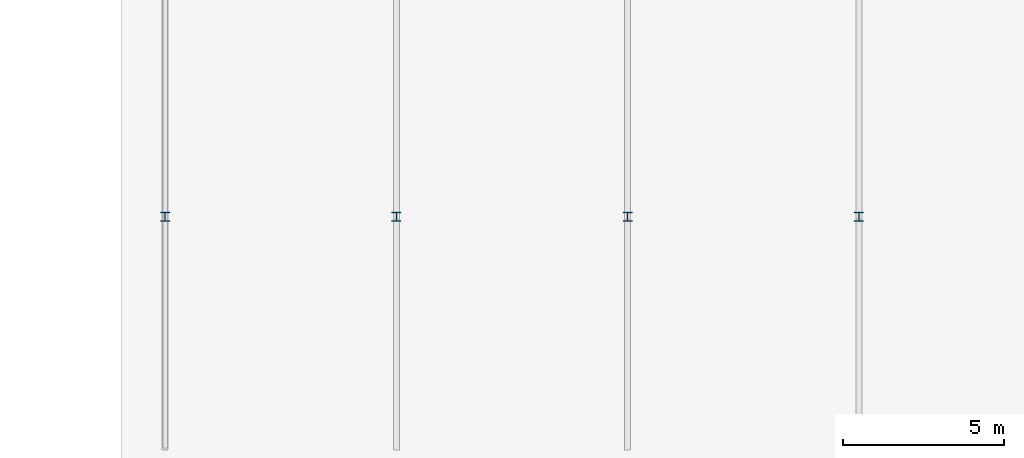
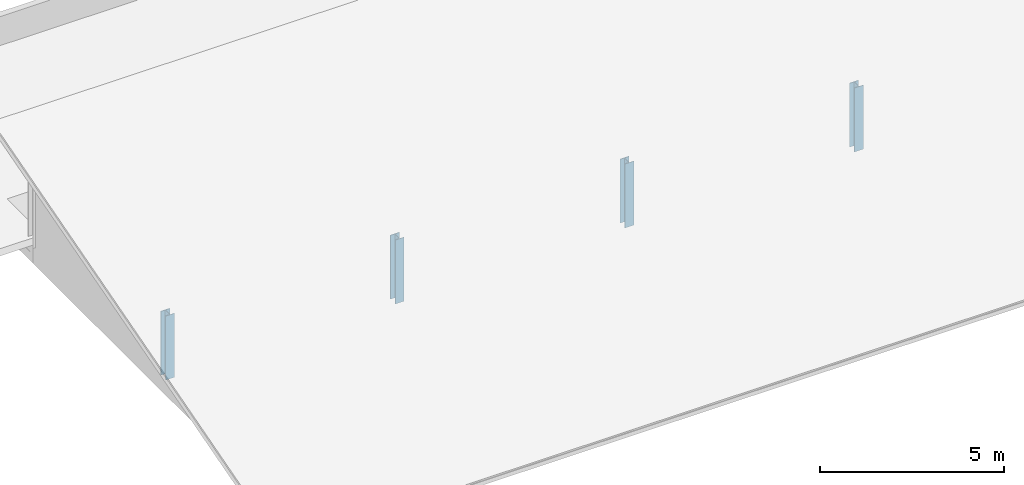
# One storey, part 12 of 157: 4 columns.
"""IFC4 building model written with IfcOpenShell, lengths in metres."""

import ifcopenshell
import ifcopenshell.guid

model = None  # the IFC model being written
_history = None  # IfcOwnerHistory: only IFC2X3 demands one
_inside = {}  # id of a spatial element -> (the spatial element, [elements in it])
_under = {}  # id of a project, library or spatial element -> (it, [spatial elements below it])
_declared = {}  # id of a project -> (the project, [libraries it declares])
_typed = {}  # id of a type object -> (the type object, [elements of that type])
_made_of = {}  # id of a material, layer set ... -> (it, [elements and type objects made of it])


def new_model(schema):
    """Start an empty IFC model of exactly this schema.

    Asked for "IFC4X3", IfcOpenShell would pick the latest addendum, in which some entities
    have other attributes; the version numbers below select the first issue.
    IFC2X3 requires an IfcOwnerHistory on every rooted entity: one is made here for all.
    """
    global model, _history
    if schema == "IFC4X3":
        model = ifcopenshell.file(schema_version=(4, 3, 0, 0))
    else:
        model = ifcopenshell.file(schema=schema)
    _inside.clear()
    _under.clear()
    _declared.clear()
    _typed.clear()
    _made_of.clear()
    _history = None
    if model.schema == "IFC2X3":
        org = make("IfcOrganization", Name="unknown")
        user = make(
            "IfcPersonAndOrganization",
            ThePerson=make("IfcPerson", FamilyName="unknown"),
            TheOrganization=org,
        )
        app = make(
            "IfcApplication",
            ApplicationDeveloper=org,
            Version="unknown",
            ApplicationFullName="unknown",
            ApplicationIdentifier="unknown",
        )
        _history = make(
            "IfcOwnerHistory",
            OwningUser=user,
            OwningApplication=app,
            ChangeAction="ADDED",
            CreationDate=0,
        )
    return model


def make(cls, **values):
    """One entity of the class cls with the attributes given. An attribute that is None is left unset."""
    return model.create_entity(
        cls, **{name: value for name, value in values.items() if value is not None}
    )


def rooted(cls, **values):
    """An entity with a GlobalId (a new one), such as an element, a storey or a relation."""
    return make(cls, GlobalId=ifcopenshell.guid.new(), OwnerHistory=_history, **values)


def si_unit(unit_type, name, prefix=None):
    """IfcSIUnit, for example si_unit("LENGTHUNIT", "METRE", prefix="MILLI")."""
    return make("IfcSIUnit", UnitType=unit_type, Prefix=prefix, Name=name)


def assignment(units):
    """IfcUnitAssignment: the units of a project."""
    return None if units is None else make("IfcUnitAssignment", Units=units)


def point(xyz):
    """IfcCartesianPoint."""
    return None if xyz is None else make("IfcCartesianPoint", Coordinates=xyz)


def direction(xyz):
    """IfcDirection."""
    return None if xyz is None else make("IfcDirection", DirectionRatios=xyz)


def frame(location, z_axis=None, x_axis=None):
    """IfcAxis2Placement3D, a coordinate frame: its origin and axes. An axis left out is left unset."""
    return make(
        "IfcAxis2Placement3D",
        Location=point(location),
        Axis=direction(z_axis),
        RefDirection=direction(x_axis),
    )


def frame_2d(location, x_axis=None):
    """IfcAxis2Placement2D, a coordinate frame in the plane: its origin and x axis."""
    return make(
        "IfcAxis2Placement2D", Location=point(location), RefDirection=direction(x_axis)
    )


def origin():
    """The frame at (0, 0, 0) with its axes left unset."""
    return frame((0.0, 0.0, 0.0))


def origin_2d():
    """The frame at (0, 0) in the plane with its x axis left unset."""
    return frame_2d((0.0, 0.0))


def place(relative_to, where):
    """IfcLocalPlacement: puts the frame where relative to a parent placement (None: the world)."""
    return make(
        "IfcLocalPlacement", PlacementRelTo=relative_to, RelativePlacement=where
    )


def context(
    kind, dimensions, precision=None, world=None, true_north=None, identifier=None
):
    """IfcGeometricRepresentationContext, for example the 3D "Model" context."""
    return make(
        "IfcGeometricRepresentationContext",
        ContextIdentifier=identifier,
        ContextType=kind,
        CoordinateSpaceDimension=dimensions,
        Precision=precision,
        WorldCoordinateSystem=world,
        TrueNorth=true_north,
    )


def subcontext(parent, identifier, kind, view, scale=None):
    """IfcGeometricRepresentationSubContext, for example "Body" below "Model"."""
    return make(
        "IfcGeometricRepresentationSubContext",
        ContextIdentifier=identifier,
        ContextType=kind,
        ParentContext=parent,
        TargetScale=scale,
        TargetView=view,
    )


def project(units=None, contexts=None):
    """IfcProject with its units and contexts."""
    return rooted(
        "IfcProject",
        Name="project",
        RepresentationContexts=contexts,
        UnitsInContext=assignment(units),
    )


def spatial(cls, under=None, at=None, **own):
    """A site, building, storey or space (cls), placed at a placement, below another one or the project."""
    s = rooted(cls, ObjectPlacement=at, **own)
    if under is not None:
        _under.setdefault(under.id(), (under, []))[1].append(s)
    return s


def profile(cls, at=None, kind="AREA", **sizes):
    """A parametric profile (cls). Its sizes go by their IFC names, for example OverallWidth=200.0."""
    return make(cls, ProfileType=kind, Position=at, **sizes)


def i_section(**sizes):
    """IfcIShapeProfileDef."""
    return profile("IfcIShapeProfileDef", **sizes)


def extrude(swept, where, along, depth):
    """IfcExtrudedAreaSolid: the profile swept, set in the frame where, extruded along a direction by depth."""
    return make(
        "IfcExtrudedAreaSolid",
        SweptArea=swept,
        Position=where,
        ExtrudedDirection=direction(along),
        Depth=depth,
    )


def shape(context_of_items, identifier, shape_type, items):
    """IfcShapeRepresentation: the items that make up one representation, for example the "Body"."""
    return make(
        "IfcShapeRepresentation",
        ContextOfItems=context_of_items,
        RepresentationIdentifier=identifier,
        RepresentationType=shape_type,
        Items=items,
    )


def material(Name=None, Category=None):
    """IfcMaterial."""
    return make("IfcMaterial", Name=Name, Category=Category)


def material_profile(
    of_material, cross_section, Name=None, Category=None, Priority=None
):
    """IfcMaterialProfile: a cross section and its material."""
    return make(
        "IfcMaterialProfile",
        Name=Name,
        Material=of_material,
        Profile=cross_section,
        Priority=Priority,
        Category=Category,
    )


def profile_set(profiles, Name=None, composite=None):
    """IfcMaterialProfileSet."""
    return make(
        "IfcMaterialProfileSet",
        Name=Name,
        MaterialProfiles=profiles,
        CompositeProfile=composite,
    )


def made_of(thing, what):
    """Note that an element or type object is made of a material, layer set ...; save() writes the relation."""
    if what is not None:
        _made_of.setdefault(what.id(), (what, []))[1].append(thing)
    return thing


def type_object(cls, material=None, **own):
    """A type object (cls), such as IfcWallType, which elements share."""
    return made_of(rooted(cls, **own), material)


def element(
    cls,
    number,
    at=None,
    inside=None,
    cuts=None,
    type_object=None,
    material=None,
    context=None,
    identifier="Body",
    shape_type=None,
    held_by="IfcProductDefinitionShape",
    body=None,
    shapes=None,
    **own,
):
    """One element of the class cls, such as IfcWall. Its Tag is "e" and its number.

    at: its placement. inside: the storey or other place that contains it. cuts: it is an
    opening in that element (IfcRelVoidsElement). A single representation is given by context,
    identifier, shape_type and body (its items); several are given by shapes. held_by: the class
    of the entity that holds the representations. save() writes the other relations.
    """
    e = rooted(cls, Tag="e%d" % number, ObjectPlacement=at, **own)
    if body is not None:
        shapes = [shape(context, identifier, shape_type, body)]
    if shapes is not None:
        e.Representation = make(held_by, Representations=shapes)
    if inside is not None:
        _inside.setdefault(inside.id(), (inside, []))[1].append(e)
    if cuts is not None:
        rooted(
            "IfcRelVoidsElement", RelatingBuildingElement=cuts, RelatedOpeningElement=e
        )
    if type_object is not None:
        _typed.setdefault(type_object.id(), (type_object, []))[1].append(e)
    return made_of(e, material)


def aggregate(whole, parts):
    """IfcRelAggregates: a whole, such as a stair, and the parts it consists of."""
    return rooted("IfcRelAggregates", RelatingObject=whole, RelatedObjects=parts)


def save(model, path):
    """Write the relations noted so far, then the file.

    IfcRelAggregates (storeys below a building ...), IfcRelContainedInSpatialStructure (elements
    in a storey), IfcRelDefinesByType, IfcRelAssociatesMaterial and IfcRelDeclares: one each for
    every whole, place, type object, material and project.
    """
    for whole, parts in _under.values():
        aggregate(whole, parts)
    for where, things in _inside.values():
        rooted(
            "IfcRelContainedInSpatialStructure",
            RelatedElements=things,
            RelatingStructure=where,
        )
    for kind, things in _typed.values():
        rooted("IfcRelDefinesByType", RelatedObjects=things, RelatingType=kind)
    for what, things in _made_of.values():
        rooted("IfcRelAssociatesMaterial", RelatedObjects=things, RelatingMaterial=what)
    for by, libraries in _declared.values():
        rooted("IfcRelDeclares", RelatingContext=by, RelatedDefinitions=libraries)
    model.write(path)


model = new_model("IFC4")

# Units and contexts
model_context = context("Model", 3, precision=1e-05, world=origin(), true_north=direction((0.0, 1.0)))
body_context = subcontext(model_context, "Body", "Model", "MODEL_VIEW")
ifc_project = project(units=[si_unit("LENGTHUNIT", "METRE"), si_unit("AREAUNIT", "SQUARE_METRE"), si_unit("VOLUMEUNIT", "CUBIC_METRE"), si_unit("PLANEANGLEUNIT", "RADIAN"), si_unit("MASSUNIT", "GRAM", prefix="KILO")], contexts=[model_context])

# Site, building, storey
site_placement = place(None, origin())
site = spatial("IfcSite", under=ifc_project, at=site_placement, CompositionType="ELEMENT")
building_placement = place(site_placement, origin())
building = spatial("IfcBuilding", under=site, at=building_placement, Name="Suanplinth Sawtooth Commons", CompositionType="ELEMENT")
storey_placement = place(building_placement, frame((0.0, 0.0, 9.0)))
storey = spatial("IfcBuildingStorey", under=building, at=storey_placement, Name="L02", CompositionType="ELEMENT", Elevation=9.0)

# Columns
ifc_material = material(Name="Steel S355JR", Category="steel")
ifc_material_profile = material_profile(ifc_material, i_section(OverallWidth=0.280029296875, OverallDepth=0.280029296875, WebThickness=0.010498046875, FlangeThickness=0.01806640625, at=origin_2d()), Name="HEB 280")
ifc_profile_set = profile_set([ifc_material_profile], Name="Steel S355JR")
column_type = type_object("IfcColumnType", Name="C-11", PredefinedType="COLUMN", material=ifc_profile_set)
for number, where, z_axis, x_axis, name in (
    (1, (129.60009765625, 57.60009765625, 0.0), (0.0, 0.0, 1.0), (1.0, 0.0, 0.0), "Nursery Mid-Span Steel Post 19"),
    (2, (136.800048828125, 57.60009765625, 0.0), (0.0, 0.0, 1.0), (1.0, 0.0, 0.0), "Nursery Mid-Span Steel Post 20"),
    (3, (144.0, 57.60009765625, 0.0), (0.0, 0.0, 1.0), (1.0, 0.0, 0.0), "Nursery Mid-Span Steel Post 21"),
    (4, (151.199951171875, 57.60009765625, 0.0), (0.0, 0.0, 1.0), (1.0, 0.0, 0.0), "Nursery Mid-Span Steel Post 22"),
):
    element("IfcColumn", number, at=place(storey_placement, frame(where, z_axis=z_axis, x_axis=x_axis)), inside=storey, type_object=column_type, Name=name, PredefinedType="COLUMN", context=body_context, shape_type="SweptSolid", body=[
        extrude(i_section(OverallWidth=0.280029296875, OverallDepth=0.280029296875, WebThickness=0.010498046875, FlangeThickness=0.01806640625, at=origin_2d()), origin(), (0.0, 0.0, 1.0), 2.1201171875),
    ])

save(model, "model.ifc")
